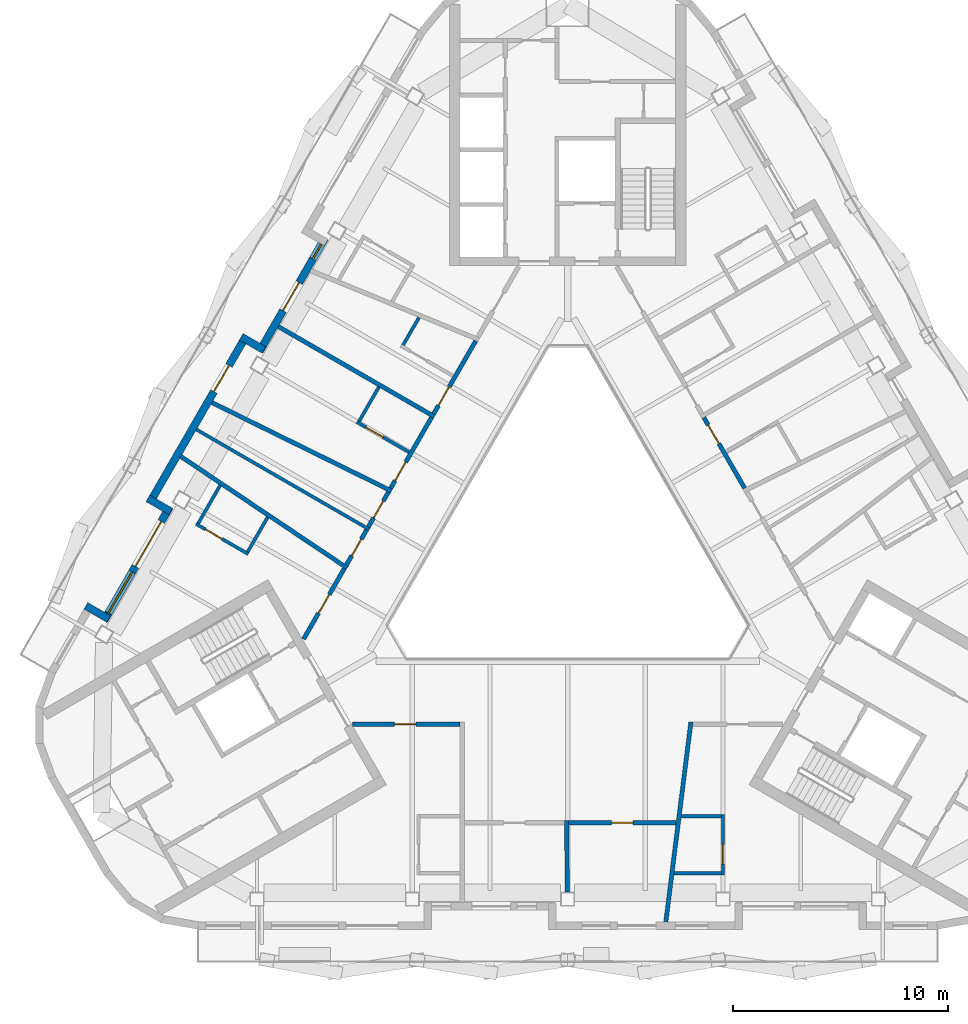
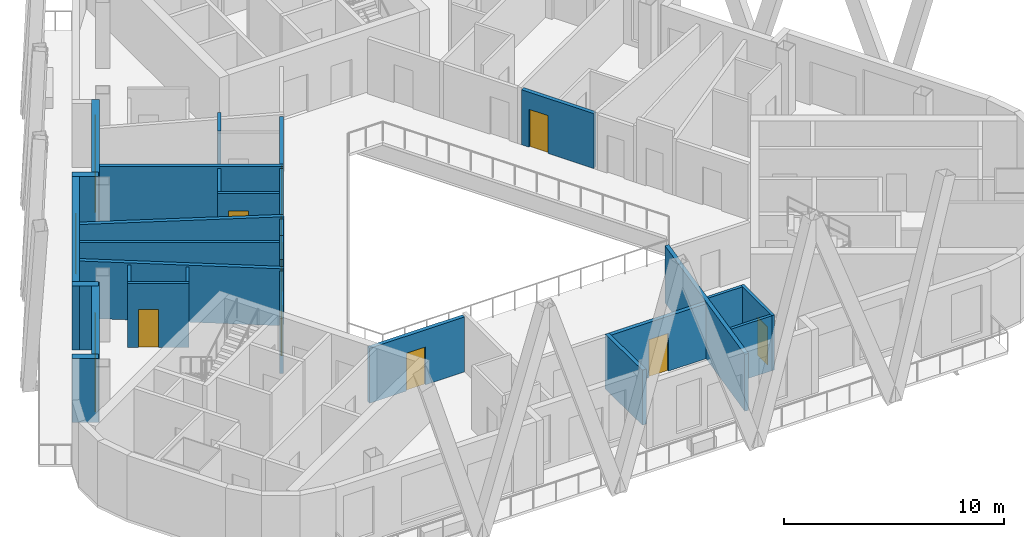
# One storey, part 4 of 13: 29 walls, 14 doors, 2 windows, 16 openings.
"""IFC4 building model written with IfcOpenShell, lengths in metres."""

from ifc_helpers import new_model, si_unit, direction, frame, frame_2d, origin, place, context, subcontext, project, spatial, rectangle, extrude, material, layer, layer_set, type_object, element, fill, save


model = new_model("IFC4")

# Units and contexts
model_context = context("Model", 3, precision=1e-05, world=origin(), true_north=direction((0.0, 1.0)))
body_context = subcontext(model_context, "Body", "Model", "MODEL_VIEW")
ifc_project = project(units=[si_unit("LENGTHUNIT", "METRE"), si_unit("AREAUNIT", "SQUARE_METRE"), si_unit("VOLUMEUNIT", "CUBIC_METRE"), si_unit("PLANEANGLEUNIT", "RADIAN"), si_unit("MASSUNIT", "GRAM", prefix="KILO")], contexts=[model_context])

# Site, building, storey
site_placement = place(None, origin())
site = spatial("IfcSite", under=ifc_project, at=site_placement, CompositionType="ELEMENT")
building_placement = place(site_placement, origin())
building = spatial("IfcBuilding", under=site, at=building_placement, Name="Apuvela Tower Hotel", CompositionType="ELEMENT")
storey_placement = place(building_placement, frame((0.0, 0.0, 280.0)))
storey = spatial("IfcBuildingStorey", under=building, at=storey_placement, Name="L69", CompositionType="ELEMENT", Elevation=280.0)

# Wall, openings, door, window
ifc_material_1 = material(Name="Concrete C40/50, dark pigmented precast panel", Category="concrete")
ifc_layer_1 = layer(ifc_material_1, 0.35009765625)
ifc_layer_set_1 = layer_set([ifc_layer_1], Name="ENV-WALL-350")
wall_type_1 = type_object("IfcWallType", Name="ENV-WALL-350", PredefinedType="SOLIDWALL", material=ifc_layer_set_1)
wall_1_placement = place(storey_placement, frame((-11.278076171875, 14.17333984375, 0.0), z_axis=(0.0, 0.0, 1.0), x_axis=(-0.499985371027, -0.866033849661, 0.0)))
wall_1 = element("IfcWall", 1, at=wall_1_placement, inside=storey, type_object=wall_type_1, Name="External wall L69-03", PredefinedType="SOLIDWALL", context=body_context, shape_type="SweptSolid", body=[
    extrude(rectangle(XDim=6.055419921875, YDim=0.35009765625, at=frame_2d((3.02783203125, 0.0))), origin(), (0.0, 0.0, 1.0), 3.550048828125),
])
opening_1_placement = place(wall_1_placement, frame((0.320068359375, 0.0, 0.300048828125)))
opening_1 = element("IfcOpeningElement", 2, at=opening_1_placement, cuts=wall_1, Name="Opening WN08", PredefinedType="OPENING", context=body_context, shape_type="SweptSolid", body=[
    extrude(rectangle(XDim=0.800048828125, YDim=2.64990234375, at=frame_2d((0.39990234375, 1.324951171875))), frame((0.0, 0.18505859375, 0.0), z_axis=(0.0, -1.0, 0.0), x_axis=(1.0, 0.0, 0.0)), (0.0, 0.0, 1.0), 0.3701171875),
])
opening_2_placement = place(wall_1_placement, frame((2.38427734375, 0.0, 0.0)))
opening_2 = element("IfcOpeningElement", 3, at=opening_2_placement, cuts=wall_1, Name="Opening BD15", PredefinedType="OPENING", context=body_context, shape_type="SweptSolid", body=[
    extrude(rectangle(XDim=1.5, YDim=2.39990234375, at=frame_2d((0.75, 1.199951171875))), frame((0.0, 0.18505859375, 0.0), z_axis=(0.0, -1.0, 0.0), x_axis=(1.0, 0.0, 0.0)), (0.0, 0.0, 1.0), 0.3701171875),
])
ifc_material_2 = material(Name="Aluminium 6063-T6, dark bronze anodised frame with dark tinted laminated glass", Category="aluminium")
door_type_1 = type_object("IfcDoorType", Name="ENV-DOOR-BALCONY-1500x2400", OperationType="SLIDING_TO_LEFT", PredefinedType="DOOR", material=ifc_material_2)
door_1_placement = place(opening_2_placement, frame((1.5, 0.0, 0.0), z_axis=(0.0, 0.0, 1.0), x_axis=(-1.0, 0.0, 0.0)))
door_1 = element("IfcDoor", 4, at=door_1_placement, inside=storey, type_object=door_type_1, Name="Balcony door BD15", OperationType="SLIDING_TO_LEFT", OverallHeight=2.39990234375, OverallWidth=1.5, PredefinedType="DOOR", context=body_context, shape_type="SweptSolid", body=[
    extrude(rectangle(XDim=1.5, YDim=2.39990234375, at=frame_2d((0.75, 1.199951171875))), frame((0.0, 0.02490234375, 0.0), z_axis=(0.0, -1.0, 0.0), x_axis=(1.0, 0.0, 0.0)), (0.0, 0.0, 1.0), 0.050048828125),
])
fill(opening_2, door_1)
ifc_material_3 = material(Name="Glass, dark tinted laminated insulated glazing unit", Category="glass")
window_type_1 = type_object("IfcWindowType", Name="ENV-WIN-800x2650", PartitioningType="SINGLE_PANEL", PredefinedType="WINDOW", material=ifc_material_3)
window_1_placement = place(opening_1_placement, origin())
window_1 = element("IfcWindow", 5, at=window_1_placement, inside=storey, type_object=window_type_1, Name="Window WN08", OverallHeight=2.64990234375, OverallWidth=0.800048828125, PartitioningType="SINGLE_PANEL", PredefinedType="WINDOW", context=body_context, shape_type="SweptSolid", body=[
    extrude(rectangle(XDim=0.800048828125, YDim=2.64990234375, at=frame_2d((0.39990234375, 1.324951171875))), frame((0.0, 0.030029296875, 0.0), z_axis=(0.0, -1.0, 0.0), x_axis=(1.0, 0.0, 0.0)), (0.0, 0.0, 1.0), 0.06005859375),
])
fill(opening_1, window_1)

# Wall
wall_2_placement = place(storey_placement, frame((-14.107666015625, 8.982177734375, 0.0), z_axis=(0.0, 0.0, 1.0), x_axis=(-0.866005645448, 0.500034220881, 0.0)))
element("IfcWall", 6, at=wall_2_placement, inside=storey, type_object=wall_type_1, Name="External wall L69-04", PredefinedType="SOLIDWALL", context=body_context, shape_type="SweptSolid", body=[
    extrude(rectangle(XDim=1.22021484375, YDim=0.35009765625, at=frame_2d((0.610107421875, 0.0))), origin(), (0.0, 0.0, 1.0), 3.550048828125),
])

# Wall, opening, door
wall_3_placement = place(storey_placement, frame((-14.925048828125, 9.65625, 0.0), z_axis=(0.0, 0.0, 1.0), x_axis=(-0.500018599098, -0.866014665324, 0.0)))
wall_3 = element("IfcWall", 7, at=wall_3_placement, inside=storey, type_object=wall_type_1, Name="External wall L69-05", PredefinedType="SOLIDWALL", context=body_context, shape_type="SweptSolid", body=[
    extrude(rectangle(XDim=9.015380859375, YDim=0.35009765625, at=frame_2d((4.5078125, 0.0))), origin(), (0.0, 0.0, 1.0), 3.550048828125),
])
opening_3_placement = place(wall_3_placement, frame((1.612548828125, 0.0, 0.0)))
opening_3 = element("IfcOpeningElement", 8, at=opening_3_placement, cuts=wall_3, Name="Opening BD14", PredefinedType="OPENING", context=body_context, shape_type="SweptSolid", body=[
    extrude(rectangle(XDim=1.39990234375, YDim=2.39990234375, at=frame_2d((0.699951171875, 1.199951171875))), frame((0.0, 0.18505859375, 0.0), z_axis=(0.0, -1.0, 0.0), x_axis=(1.0, 0.0, 0.0)), (0.0, 0.0, 1.0), 0.3701171875),
])
door_type_2 = type_object("IfcDoorType", Name="ENV-DOOR-BALCONY-1400x2400", OperationType="SLIDING_TO_LEFT", PredefinedType="DOOR", material=ifc_material_2)
door_2_placement = place(opening_3_placement, frame((1.39990234375, 0.0, 0.0), z_axis=(0.0, 0.0, 1.0), x_axis=(-1.0, 0.0, 0.0)))
door_2 = element("IfcDoor", 9, at=door_2_placement, inside=storey, type_object=door_type_2, Name="Balcony door BD14", OperationType="SLIDING_TO_LEFT", OverallHeight=2.39990234375, OverallWidth=1.39990234375, PredefinedType="DOOR", context=body_context, shape_type="SweptSolid", body=[
    extrude(rectangle(XDim=1.39990234375, YDim=2.39990234375, at=frame_2d((0.699951171875, 1.199951171875))), frame((0.0, 0.02490234375, 0.0), z_axis=(0.0, -1.0, 0.0), x_axis=(1.0, 0.0, 0.0)), (0.0, 0.0, 1.0), 0.050048828125),
])
fill(opening_3, door_2)

# Wall
wall_4_placement = place(storey_placement, frame((-19.496826171875, 2.087890625, 0.0), z_axis=(0.0, 0.0, 1.0), x_axis=(0.866005645448, -0.500034220881, 0.0)))
element("IfcWall", 10, at=wall_4_placement, inside=storey, type_object=wall_type_1, Name="External wall L69-06", PredefinedType="SOLIDWALL", context=body_context, shape_type="SweptSolid", body=[
    extrude(rectangle(XDim=1.22021484375, YDim=0.35009765625, at=frame_2d((0.610107421875, 0.0))), origin(), (0.0, 0.0, 1.0), 3.550048828125),
])

# Wall, openings, door, window
wall_5_placement = place(storey_placement, frame((-18.493408203125, 1.676025390625, 0.0), z_axis=(0.0, 0.0, 1.0), x_axis=(-0.499985371027, -0.866033849661, 0.0)))
wall_5 = element("IfcWall", 11, at=wall_5_placement, inside=storey, type_object=wall_type_1, Name="External wall L69-07", PredefinedType="SOLIDWALL", context=body_context, shape_type="SweptSolid", body=[
    extrude(rectangle(XDim=6.055419921875, YDim=0.35009765625, at=frame_2d((3.02783203125, 0.0))), origin(), (0.0, 0.0, 1.0), 3.550048828125),
])
opening_4_placement = place(wall_5_placement, frame((0.77001953125, 0.0, 0.0)))
opening_4 = element("IfcOpeningElement", 12, at=opening_4_placement, cuts=wall_5, Name="Opening BD24", PredefinedType="OPENING", context=body_context, shape_type="SweptSolid", body=[
    extrude(rectangle(XDim=2.39990234375, YDim=2.39990234375, at=frame_2d((1.199951171875, 1.199951171875))), frame((0.0, 0.18505859375, 0.0), z_axis=(0.0, -1.0, 0.0), x_axis=(1.0, 0.0, 0.0)), (0.0, 0.0, 1.0), 0.3701171875),
])
opening_5_placement = place(wall_5_placement, frame((3.47021484375, 0.0, 0.300048828125)))
opening_5 = element("IfcOpeningElement", 13, at=opening_5_placement, cuts=wall_5, Name="Opening WN22", PredefinedType="OPENING", context=body_context, shape_type="SweptSolid", body=[
    extrude(rectangle(XDim=2.199951171875, YDim=2.64990234375, at=frame_2d((1.10009765625, 1.324951171875))), frame((0.0, 0.18505859375, 0.0), z_axis=(0.0, -1.0, 0.0), x_axis=(1.0, 0.0, 0.0)), (0.0, 0.0, 1.0), 0.3701171875),
])
door_type_3 = type_object("IfcDoorType", Name="ENV-DOOR-BALCONY-2400x2400", OperationType="SLIDING_TO_LEFT", PredefinedType="DOOR", material=ifc_material_2)
door_3_placement = place(opening_4_placement, frame((2.39990234375, 0.0, 0.0), z_axis=(0.0, 0.0, 1.0), x_axis=(-1.0, 0.0, 0.0)))
door_3 = element("IfcDoor", 14, at=door_3_placement, inside=storey, type_object=door_type_3, Name="Balcony door BD24", OperationType="SLIDING_TO_LEFT", OverallHeight=2.39990234375, OverallWidth=2.39990234375, PredefinedType="DOOR", context=body_context, shape_type="SweptSolid", body=[
    extrude(rectangle(XDim=2.39990234375, YDim=2.39990234375, at=frame_2d((1.199951171875, 1.199951171875))), frame((0.0, 0.02490234375, 0.0), z_axis=(0.0, -1.0, 0.0), x_axis=(1.0, 0.0, 0.0)), (0.0, 0.0, 1.0), 0.050048828125),
])
fill(opening_4, door_3)
window_type_2 = type_object("IfcWindowType", Name="ENV-WIN-2200x2650", PartitioningType="SINGLE_PANEL", PredefinedType="WINDOW", material=ifc_material_3)
window_2_placement = place(opening_5_placement, origin())
window_2 = element("IfcWindow", 15, at=window_2_placement, inside=storey, type_object=window_type_2, Name="Window WN22", OverallHeight=2.64990234375, OverallWidth=2.199951171875, PartitioningType="SINGLE_PANEL", PredefinedType="WINDOW", context=body_context, shape_type="SweptSolid", body=[
    extrude(rectangle(XDim=2.199951171875, YDim=2.64990234375, at=frame_2d((1.10009765625, 1.324951171875))), frame((0.0, 0.030029296875, 0.0), z_axis=(0.0, -1.0, 0.0), x_axis=(1.0, 0.0, 0.0)), (0.0, 0.0, 1.0), 0.06005859375),
])
fill(opening_5, window_2)

# Walls
wall_6_placement = place(storey_placement, frame((-21.322998046875, -3.514892578125, 0.0), z_axis=(0.0, 0.0, 1.0), x_axis=(-0.866092288191, 0.499884134912, 0.0)))
element("IfcWall", 16, at=wall_6_placement, inside=storey, type_object=wall_type_1, Name="External wall L69-08", PredefinedType="SOLIDWALL", context=body_context, shape_type="SweptSolid", body=[
    extrude(rectangle(XDim=1.219970703125, YDim=0.35009765625, at=frame_2d((0.60986328125, 0.0))), origin(), (0.0, 0.0, 1.0), 3.550048828125),
])
ifc_material_4 = material(Name="Gypsum board partition on twin steel stud", Category="steel")
ifc_layer_2 = layer(ifc_material_4, 0.199951171875)
ifc_layer_set_2 = layer_set([ifc_layer_2], Name="GST-PW1")
wall_type_2 = type_object("IfcWallType", Name="GST-PW1", PredefinedType="PARTITIONING", material=ifc_layer_set_2)
wall_7_placement = place(storey_placement, frame((-0.01513671875, -16.20361328125, 0.0), z_axis=(0.0, 0.0, 1.0), x_axis=(-0.011013356537, 0.99993935115, 0.0)))
element("IfcWall", 17, at=wall_7_placement, inside=storey, type_object=wall_type_2, Name="L69 partition 02", PredefinedType="PARTITIONING", context=body_context, shape_type="SweptSolid", body=[
    extrude(rectangle(XDim=3.3251953125, YDim=0.199951171875, at=frame_2d((1.66259765625, 0.0))), origin(), (0.0, 0.0, 1.0), 3.050048828125),
])
wall_8_placement = place(storey_placement, frame((4.56005859375, -17.57861328125, 0.0), z_axis=(0.0, 0.0, 1.0), x_axis=(0.124584174438, 0.992209042228, 0.0)))
element("IfcWall", 18, at=wall_8_placement, inside=storey, type_object=wall_type_2, Name="L69 partition 03", PredefinedType="PARTITIONING", context=body_context, shape_type="SweptSolid", body=[
    extrude(rectangle(XDim=9.351318359375, YDim=0.199951171875, at=frame_2d((4.67578125, 0.0))), origin(), (0.0, 0.0, 1.0), 3.159912109375),
])
wall_9_placement = place(storey_placement, frame((-13.444091796875, 10.0712890625, 0.0), z_axis=(0.0, 0.0, 1.0), x_axis=(0.866030795796, -0.499990660646, 0.0)))
element("IfcWall", 19, at=wall_9_placement, inside=storey, type_object=wall_type_2, Name="L69 partition 09", PredefinedType="PARTITIONING", context=body_context, shape_type="SweptSolid", body=[
    extrude(rectangle(XDim=8.378662109375, YDim=0.199951171875, at=frame_2d((4.189453125, 0.0))), origin(), (0.0, 0.0, 1.0), 3.159912109375),
])
wall_10_placement = place(storey_placement, frame((-16.523681640625, 6.53759765625, 0.0), z_axis=(0.0, 0.0, 1.0), x_axis=(0.897120251728, -0.441786434762, 0.0)))
element("IfcWall", 20, at=wall_10_placement, inside=storey, type_object=wall_type_2, Name="L69 partition 10", PredefinedType="PARTITIONING", context=body_context, shape_type="SweptSolid", body=[
    extrude(rectangle(XDim=9.299072265625, YDim=0.199951171875, at=frame_2d((4.6494140625, 0.0))), origin(), (0.0, 0.0, 1.0), 3.159912109375),
])
wall_11_placement = place(storey_placement, frame((-17.968505859375, 4.034912109375, 0.0), z_axis=(0.0, 0.0, 1.0), x_axis=(0.830560992963, -0.556927676604, 0.0)))
element("IfcWall", 21, at=wall_11_placement, inside=storey, type_object=wall_type_2, Name="L69 partition 11", PredefinedType="PARTITIONING", context=body_context, shape_type="SweptSolid", body=[
    extrude(rectangle(XDim=9.299560546875, YDim=0.199951171875, at=frame_2d((4.64990234375, 0.0))), origin(), (0.0, 0.0, 1.0), 3.159912109375),
])

# Wall, opening, door
ifc_material_5 = material(Name="Gypsum board corridor wall on twin steel stud, acoustic", Category="steel")
ifc_layer_3 = layer(ifc_material_5, 0.199951171875)
ifc_layer_set_3 = layer_set([ifc_layer_3], Name="GST-PW2")
wall_type_3 = type_object("IfcWallType", Name="GST-PW2", PredefinedType="PARTITIONING", material=ifc_layer_set_3)
wall_12_placement = place(storey_placement, frame((-5.0, -8.39990234375, 0.0), z_axis=(0.0, 0.0, 1.0), x_axis=(-1.0, 0.0, 0.0)))
wall_12 = element("IfcWall", 22, at=wall_12_placement, inside=storey, type_object=wall_type_3, Name="L69 partition 12", PredefinedType="PARTITIONING", context=body_context, shape_type="SweptSolid", body=[
    extrude(rectangle(XDim=4.98828125, YDim=0.199951171875, at=frame_2d((2.494140625, 0.0))), origin(), (0.0, 0.0, 1.0), 3.050048828125),
])
opening_6_placement = place(wall_12_placement, frame((2.050048828125, 0.0, 0.0)))
opening_6 = element("IfcOpeningElement", 23, at=opening_6_placement, cuts=wall_12, Name="Opening GD28-02", PredefinedType="OPENING", context=body_context, shape_type="SweptSolid", body=[
    extrude(rectangle(XDim=1.0, YDim=2.10009765625, at=frame_2d((0.5, 1.050048828125))), frame((0.0, 0.10986328125, 0.0), z_axis=(0.0, -1.0, 0.0), x_axis=(1.0, 0.0, 0.0)), (0.0, 0.0, 1.0), 0.219970703125),
])
ifc_material_6 = material(Name="Timber door leaf in steel frame", Category="steel")
door_type_4 = type_object("IfcDoorType", Name="GST-D1", OperationType="NOTDEFINED", PredefinedType="DOOR", material=ifc_material_6)
door_4_placement = place(opening_6_placement, origin())
door_4 = element("IfcDoor", 24, at=door_4_placement, inside=storey, type_object=door_type_4, Name="Door L69-02", OperationType="SINGLE_SWING_LEFT", OverallHeight=2.10009765625, OverallWidth=1.0, PredefinedType="DOOR", context=body_context, shape_type="SweptSolid", body=[
    extrude(rectangle(XDim=1.0, YDim=2.10009765625, at=frame_2d((0.5, 1.050048828125))), frame((0.0, 0.02490234375, 0.0), z_axis=(0.0, -1.0, 0.0), x_axis=(1.0, 0.0, 0.0)), (0.0, 0.0, 1.0), 0.050048828125),
])
fill(opening_6, door_4)

wall_13_placement = place(storey_placement, frame((5.036865234375, -12.978759765625, 0.0), z_axis=(0.0, 0.0, 1.0), x_axis=(-1.0, 0.0, 0.0)))
wall_13 = element("IfcWall", 25, at=wall_13_placement, inside=storey, type_object=wall_type_3, Name="L69 partition 17", PredefinedType="PARTITIONING", context=body_context, shape_type="SweptSolid", body=[
    extrude(rectangle(XDim=4.987548828125, YDim=0.199951171875, at=frame_2d((2.49365234375, 0.0))), origin(), (0.0, 0.0, 1.0), 3.050048828125),
])
opening_7_placement = place(wall_13_placement, frame((1.99365234375, 0.0, 0.0)))
opening_7 = element("IfcOpeningElement", 26, at=opening_7_placement, cuts=wall_13, Name="Opening GD28-04", PredefinedType="OPENING", context=body_context, shape_type="SweptSolid", body=[
    extrude(rectangle(XDim=1.0, YDim=2.10009765625, at=frame_2d((0.5, 1.050048828125))), frame((0.0, 0.10986328125, 0.0), z_axis=(0.0, -1.0, 0.0), x_axis=(1.0, 0.0, 0.0)), (0.0, 0.0, 1.0), 0.219970703125),
])
door_5_placement = place(opening_7_placement, origin())
door_5 = element("IfcDoor", 27, at=door_5_placement, inside=storey, type_object=door_type_4, Name="Door L69-04", OperationType="SINGLE_SWING_LEFT", OverallHeight=2.10009765625, OverallWidth=1.0, PredefinedType="DOOR", context=body_context, shape_type="SweptSolid", body=[
    extrude(rectangle(XDim=1.0, YDim=2.10009765625, at=frame_2d((0.5, 1.050048828125))), frame((0.0, 0.02490234375, 0.0), z_axis=(0.0, -1.0, 0.0), x_axis=(1.0, 0.0, 0.0)), (0.0, 0.0, 1.0), 0.050048828125),
])
fill(opening_7, door_5)

wall_14_placement = place(storey_placement, frame((6.32470703125, 5.845458984375, 0.0), z_axis=(0.0, 0.0, 1.0), x_axis=(0.499988034227, -0.866032312117, 0.0)))
wall_14 = element("IfcWall", 28, at=wall_14_placement, inside=storey, type_object=wall_type_3, Name="L69 partition 29", PredefinedType="PARTITIONING", context=body_context, shape_type="SweptSolid", body=[
    extrude(rectangle(XDim=3.79296875, YDim=0.199951171875, at=frame_2d((1.896484375, 0.0))), origin(), (0.0, 0.0, 1.0), 3.050048828125),
])
opening_8_placement = place(wall_14_placement, frame((0.4033203125, 0.0, 0.0)))
opening_8 = element("IfcOpeningElement", 29, at=opening_8_placement, cuts=wall_14, Name="Opening GD28-12", PredefinedType="OPENING", context=body_context, shape_type="SweptSolid", body=[
    extrude(rectangle(XDim=1.0, YDim=2.10009765625, at=frame_2d((0.5, 1.050048828125))), frame((0.0, 0.10986328125, 0.0), z_axis=(0.0, -1.0, 0.0), x_axis=(1.0, 0.0, 0.0)), (0.0, 0.0, 1.0), 0.219970703125),
])
door_6_placement = place(opening_8_placement, origin())
door_6 = element("IfcDoor", 30, at=door_6_placement, inside=storey, type_object=door_type_4, Name="Door L69-12", OperationType="SINGLE_SWING_LEFT", OverallHeight=2.10009765625, OverallWidth=1.0, PredefinedType="DOOR", context=body_context, shape_type="SweptSolid", body=[
    extrude(rectangle(XDim=1.0, YDim=2.10009765625, at=frame_2d((0.5, 1.050048828125))), frame((0.0, 0.02490234375, 0.0), z_axis=(0.0, -1.0, 0.0), x_axis=(1.0, 0.0, 0.0)), (0.0, 0.0, 1.0), 0.050048828125),
])
fill(opening_8, door_6)

wall_15_placement = place(storey_placement, frame((-6.224609375, 6.018798828125, 0.0), z_axis=(0.0, 0.0, 1.0), x_axis=(0.500024943202, 0.866011002341, 0.0)))
wall_15 = element("IfcWall", 31, at=wall_15_placement, inside=storey, type_object=wall_type_3, Name="L69 partition 43", PredefinedType="PARTITIONING", context=body_context, shape_type="SweptSolid", body=[
    extrude(rectangle(XDim=3.912353515625, YDim=0.199951171875, at=frame_2d((1.9560546875, 0.0))), origin(), (0.0, 0.0, 1.0), 3.050048828125),
])
opening_9_placement = place(wall_15_placement, frame((0.449462890625, 0.0, 0.0)))
opening_9 = element("IfcOpeningElement", 32, at=opening_9_placement, cuts=wall_15, Name="Opening GD28-20", PredefinedType="OPENING", context=body_context, shape_type="SweptSolid", body=[
    extrude(rectangle(XDim=1.0, YDim=2.10009765625, at=frame_2d((0.5, 1.050048828125))), frame((0.0, 0.10986328125, 0.0), z_axis=(0.0, -1.0, 0.0), x_axis=(1.0, 0.0, 0.0)), (0.0, 0.0, 1.0), 0.219970703125),
])
door_7_placement = place(opening_9_placement, origin())
door_7 = element("IfcDoor", 33, at=door_7_placement, inside=storey, type_object=door_type_4, Name="Door L69-20", OperationType="SINGLE_SWING_LEFT", OverallHeight=2.10009765625, OverallWidth=1.0, PredefinedType="DOOR", context=body_context, shape_type="SweptSolid", body=[
    extrude(rectangle(XDim=1.0, YDim=2.10009765625, at=frame_2d((0.5, 1.050048828125))), frame((0.0, 0.02490234375, 0.0), z_axis=(0.0, -1.0, 0.0), x_axis=(1.0, 0.0, 0.0)), (0.0, 0.0, 1.0), 0.050048828125),
])
fill(opening_9, door_7)

wall_16_placement = place(storey_placement, frame((-8.22119140625, 2.560546875, 0.0), z_axis=(0.0, 0.0, 1.0), x_axis=(0.499988034227, 0.866032312117, 0.0)))
wall_16 = element("IfcWall", 34, at=wall_16_placement, inside=storey, type_object=wall_type_3, Name="L69 partition 46", PredefinedType="PARTITIONING", context=body_context, shape_type="SweptSolid", body=[
    extrude(rectangle(XDim=3.79296875, YDim=0.199951171875, at=frame_2d((1.896484375, 0.0))), origin(), (0.0, 0.0, 1.0), 3.050048828125),
])
opening_10_placement = place(wall_16_placement, frame((0.39990234375, 0.0, 0.0)))
opening_10 = element("IfcOpeningElement", 35, at=opening_10_placement, cuts=wall_16, Name="Opening GD28-22", PredefinedType="OPENING", context=body_context, shape_type="SweptSolid", body=[
    extrude(rectangle(XDim=1.0, YDim=2.10009765625, at=frame_2d((0.5, 1.050048828125))), frame((0.0, 0.10986328125, 0.0), z_axis=(0.0, -1.0, 0.0), x_axis=(1.0, 0.0, 0.0)), (0.0, 0.0, 1.0), 0.219970703125),
])
door_8_placement = place(opening_10_placement, origin())
door_8 = element("IfcDoor", 36, at=door_8_placement, inside=storey, type_object=door_type_4, Name="Door L69-22", OperationType="SINGLE_SWING_LEFT", OverallHeight=2.10009765625, OverallWidth=1.0, PredefinedType="DOOR", context=body_context, shape_type="SweptSolid", body=[
    extrude(rectangle(XDim=1.0, YDim=2.10009765625, at=frame_2d((0.5, 1.050048828125))), frame((0.0, 0.02490234375, 0.0), z_axis=(0.0, -1.0, 0.0), x_axis=(1.0, 0.0, 0.0)), (0.0, 0.0, 1.0), 0.050048828125),
])
fill(opening_10, door_8)

wall_17_placement = place(storey_placement, frame((-9.26220703125, 0.757568359375, 0.0), z_axis=(0.0, 0.0, 1.0), x_axis=(0.500074377092, 0.865982457891, 0.0)))
wall_17 = element("IfcWall", 37, at=wall_17_placement, inside=storey, type_object=wall_type_3, Name="L69 partition 50", PredefinedType="PARTITIONING", context=body_context, shape_type="SweptSolid", body=[
    extrude(rectangle(XDim=1.881591796875, YDim=0.199951171875, at=frame_2d((0.94091796875, 0.0))), origin(), (0.0, 0.0, 1.0), 3.050048828125),
])
opening_11_placement = place(wall_17_placement, frame((0.49072265625, 0.0, 0.0)))
opening_11 = element("IfcOpeningElement", 38, at=opening_11_placement, cuts=wall_17, Name="Opening GD28-23", PredefinedType="OPENING", context=body_context, shape_type="SweptSolid", body=[
    extrude(rectangle(XDim=0.89990234375, YDim=2.10009765625, at=frame_2d((0.449951171875, 1.050048828125))), frame((0.0, 0.10986328125, 0.0), z_axis=(0.0, -1.0, 0.0), x_axis=(1.0, 0.0, 0.0)), (0.0, 0.0, 1.0), 0.219970703125),
])
door_type_5 = type_object("IfcDoorType", Name="GST-D2", OperationType="NOTDEFINED", PredefinedType="DOOR", material=ifc_material_6)
door_9_placement = place(opening_11_placement, origin())
door_9 = element("IfcDoor", 39, at=door_9_placement, inside=storey, type_object=door_type_5, Name="Door L69-23", OperationType="SINGLE_SWING_LEFT", OverallHeight=2.10009765625, OverallWidth=0.89990234375, PredefinedType="DOOR", context=body_context, shape_type="SweptSolid", body=[
    extrude(rectangle(XDim=0.89990234375, YDim=2.10009765625, at=frame_2d((0.449951171875, 1.050048828125))), frame((0.0, 0.02490234375, 0.0), z_axis=(0.0, -1.0, 0.0), x_axis=(1.0, 0.0, 0.0)), (0.0, 0.0, 1.0), 0.050048828125),
])
fill(opening_11, door_9)

wall_18_placement = place(storey_placement, frame((-10.27783203125, -1.001708984375, 0.0), z_axis=(0.0, 0.0, 1.0), x_axis=(0.499977061294, 0.866038647048, 0.0)))
wall_18 = element("IfcWall", 40, at=wall_18_placement, inside=storey, type_object=wall_type_3, Name="L69 partition 51", PredefinedType="PARTITIONING", context=body_context, shape_type="SweptSolid", body=[
    extrude(rectangle(XDim=1.88134765625, YDim=0.199951171875, at=frame_2d((0.940673828125, 0.0))), origin(), (0.0, 0.0, 1.0), 3.550048828125),
])
opening_12_placement = place(wall_18_placement, frame((0.49072265625, 0.0, 0.0)))
opening_12 = element("IfcOpeningElement", 41, at=opening_12_placement, cuts=wall_18, Name="Opening GD28-24", PredefinedType="OPENING", context=body_context, shape_type="SweptSolid", body=[
    extrude(rectangle(XDim=0.89990234375, YDim=2.10009765625, at=frame_2d((0.449951171875, 1.050048828125))), frame((0.0, 0.10986328125, 0.0), z_axis=(0.0, -1.0, 0.0), x_axis=(1.0, 0.0, 0.0)), (0.0, 0.0, 1.0), 0.219970703125),
])
door_10_placement = place(opening_12_placement, origin())
door_10 = element("IfcDoor", 42, at=door_10_placement, inside=storey, type_object=door_type_5, Name="Door L69-24", OperationType="SINGLE_SWING_RIGHT", OverallHeight=2.10009765625, OverallWidth=0.89990234375, PredefinedType="DOOR", context=body_context, shape_type="SweptSolid", body=[
    extrude(rectangle(XDim=0.89990234375, YDim=2.10009765625, at=frame_2d((0.449951171875, 1.050048828125))), frame((0.0, 0.02490234375, 0.0), z_axis=(0.0, -1.0, 0.0), x_axis=(1.0, 0.0, 0.0)), (0.0, 0.0, 1.0), 0.050048828125),
])
fill(opening_12, door_10)

wall_19_placement = place(storey_placement, frame((-12.268798828125, -4.449951171875, 0.0), z_axis=(0.0, 0.0, 1.0), x_axis=(0.500000040646, 0.866025380318, 0.0)))
wall_19 = element("IfcWall", 43, at=wall_19_placement, inside=storey, type_object=wall_type_3, Name="L69 partition 52", PredefinedType="PARTITIONING", context=body_context, shape_type="SweptSolid", body=[
    extrude(rectangle(XDim=3.78125, YDim=0.199951171875, at=frame_2d((1.890625, 0.0))), origin(), (0.0, 0.0, 1.0), 3.050048828125),
])
opening_13_placement = place(wall_19_placement, frame((1.390625, 0.0, 0.0)))
opening_13 = element("IfcOpeningElement", 44, at=opening_13_placement, cuts=wall_19, Name="Opening GD28-26", PredefinedType="OPENING", context=body_context, shape_type="SweptSolid", body=[
    extrude(rectangle(XDim=1.0, YDim=2.10009765625, at=frame_2d((0.5, 1.050048828125))), frame((0.0, 0.10986328125, 0.0), z_axis=(0.0, -1.0, 0.0), x_axis=(1.0, 0.0, 0.0)), (0.0, 0.0, 1.0), 0.219970703125),
])
door_11_placement = place(opening_13_placement, origin())
door_11 = element("IfcDoor", 45, at=door_11_placement, inside=storey, type_object=door_type_4, Name="Door L69-26", OperationType="SINGLE_SWING_RIGHT", OverallHeight=2.10009765625, OverallWidth=1.0, PredefinedType="DOOR", context=body_context, shape_type="SweptSolid", body=[
    extrude(rectangle(XDim=1.0, YDim=2.10009765625, at=frame_2d((0.5, 1.050048828125))), frame((0.0, 0.02490234375, 0.0), z_axis=(0.0, -1.0, 0.0), x_axis=(1.0, 0.0, 0.0)), (0.0, 0.0, 1.0), 0.050048828125),
])
fill(opening_13, door_11)

ifc_material_7 = material(Name="Moisture-resistant gypsum board wet wall on steel stud", Category="steel")
ifc_layer_4 = layer(ifc_material_7, 0.14990234375)
ifc_layer_set_4 = layer_set([ifc_layer_4], Name="GST-PW3")
wall_type_4 = type_object("IfcWallType", Name="GST-PW3", PredefinedType="PARTITIONING", material=ifc_layer_set_4)
wall_20_placement = place(storey_placement, frame((7.2109375, -15.39990234375, 0.0), z_axis=(0.0, 0.0, 1.0), x_axis=(0.0, 1.0, 0.0)))
wall_20 = element("IfcWall", 46, at=wall_20_placement, inside=storey, type_object=wall_type_4, Name="L69 partition 19", PredefinedType="PARTITIONING", context=body_context, shape_type="SweptSolid", body=[
    extrude(rectangle(XDim=2.7998046875, YDim=0.14990234375, at=frame_2d((1.39990234375, 0.0))), origin(), (0.0, 0.0, 1.0), 3.050048828125),
])
opening_14_placement = place(wall_20_placement, frame((0.5, 0.0, 0.0)))
opening_14 = element("IfcOpeningElement", 47, at=opening_14_placement, cuts=wall_20, Name="Opening GD28-05", PredefinedType="OPENING", context=body_context, shape_type="SweptSolid", body=[
    extrude(rectangle(XDim=0.89990234375, YDim=2.10009765625, at=frame_2d((0.449951171875, 1.050048828125))), frame((0.0, 0.0849609375, 0.0), z_axis=(0.0, -1.0, 0.0), x_axis=(1.0, 0.0, 0.0)), (0.0, 0.0, 1.0), 0.169921875),
])
door_12_placement = place(opening_14_placement, origin())
door_12 = element("IfcDoor", 48, at=door_12_placement, inside=storey, type_object=door_type_5, Name="Door L69-05", OperationType="SINGLE_SWING_LEFT", OverallHeight=2.10009765625, OverallWidth=0.89990234375, PredefinedType="DOOR", context=body_context, shape_type="SweptSolid", body=[
    extrude(rectangle(XDim=0.89990234375, YDim=2.10009765625, at=frame_2d((0.449951171875, 1.050048828125))), frame((0.0, 0.02490234375, 0.0), z_axis=(0.0, -1.0, 0.0), x_axis=(1.0, 0.0, 0.0)), (0.0, 0.0, 1.0), 0.050048828125),
])
fill(opening_14, door_12)

# Walls
wall_21_placement = place(storey_placement, frame((4.94384765625, -15.324951171875, 0.0), z_axis=(0.0, 0.0, 1.0), x_axis=(1.0, 0.0, 0.0)))
element("IfcWall", 49, at=wall_21_placement, inside=storey, type_object=wall_type_4, Name="L69 partition 20", PredefinedType="PARTITIONING", context=body_context, shape_type="SweptSolid", body=[
    extrude(rectangle(XDim=2.192138671875, YDim=0.14990234375, at=frame_2d((1.09619140625, 0.0))), origin(), (0.0, 0.0, 1.0), 3.050048828125),
])
wall_22_placement = place(storey_placement, frame((5.276611328125, -12.675048828125, 0.0), z_axis=(0.0, 0.0, 1.0), x_axis=(1.0, 0.0, 0.0)))
element("IfcWall", 50, at=wall_22_placement, inside=storey, type_object=wall_type_4, Name="L69 partition 21", PredefinedType="PARTITIONING", context=body_context, shape_type="SweptSolid", body=[
    extrude(rectangle(XDim=1.859375, YDim=0.14990234375, at=frame_2d((0.9296875, 0.0))), origin(), (0.0, 0.0, 1.0), 3.050048828125),
])
wall_23_placement = place(storey_placement, frame((-6.90478515625, 10.49072265625, 0.0), z_axis=(0.0, 0.0, 1.0), x_axis=(-0.499926630096, -0.866067759775, 0.0)))
element("IfcWall", 51, at=wall_23_placement, inside=storey, type_object=wall_type_4, Name="L69 partition 45", PredefinedType="PARTITIONING", context=body_context, shape_type="SweptSolid", body=[
    extrude(rectangle(XDim=1.483642578125, YDim=0.14990234375, at=frame_2d((0.74169921875, 0.0))), origin(), (0.0, 0.0, 1.0), 3.550048828125),
])

# Wall, opening, door
wall_24_placement = place(storey_placement, frame((-9.795166015625, 5.63427734375, 0.0), z_axis=(0.0, 0.0, 1.0), x_axis=(0.866034573852, -0.49998411664, 0.0)))
wall_24 = element("IfcWall", 52, at=wall_24_placement, inside=storey, type_object=wall_type_4, Name="L69 partition 47", PredefinedType="PARTITIONING", context=body_context, shape_type="SweptSolid", body=[
    extrude(rectangle(XDim=2.7998046875, YDim=0.14990234375, at=frame_2d((1.39990234375, 0.0))), origin(), (0.0, 0.0, 1.0), 3.050048828125),
])
opening_15_placement = place(wall_24_placement, frame((0.5, 0.0, 0.0)))
opening_15 = element("IfcOpeningElement", 53, at=opening_15_placement, cuts=wall_24, Name="Opening GD28-21", PredefinedType="OPENING", context=body_context, shape_type="SweptSolid", body=[
    extrude(rectangle(XDim=0.89990234375, YDim=2.10009765625, at=frame_2d((0.449951171875, 1.050048828125))), frame((0.0, 0.0849609375, 0.0), z_axis=(0.0, -1.0, 0.0), x_axis=(1.0, 0.0, 0.0)), (0.0, 0.0, 1.0), 0.169921875),
])
door_13_placement = place(opening_15_placement, origin())
door_13 = element("IfcDoor", 54, at=door_13_placement, inside=storey, type_object=door_type_5, Name="Door L69-21", OperationType="SINGLE_SWING_LEFT", OverallHeight=2.10009765625, OverallWidth=0.89990234375, PredefinedType="DOOR", context=body_context, shape_type="SweptSolid", body=[
    extrude(rectangle(XDim=0.89990234375, YDim=2.10009765625, at=frame_2d((0.449951171875, 1.050048828125))), frame((0.0, 0.02490234375, 0.0), z_axis=(0.0, -1.0, 0.0), x_axis=(1.0, 0.0, 0.0)), (0.0, 0.0, 1.0), 0.050048828125),
])
fill(opening_15, door_13)

# Walls
wall_25_placement = place(storey_placement, frame((-8.77099609375, 7.2578125, 0.0), z_axis=(0.0, 0.0, 1.0), x_axis=(-0.50002820729, -0.866009117685, 0.0)))
element("IfcWall", 55, at=wall_25_placement, inside=storey, type_object=wall_type_4, Name="L69 partition 48", PredefinedType="PARTITIONING", context=body_context, shape_type="SweptSolid", body=[
    extrude(rectangle(XDim=1.84326171875, YDim=0.14990234375, at=frame_2d((0.921630859375, 0.0))), origin(), (0.0, 0.0, 1.0), 3.050048828125),
])
wall_26_placement = place(storey_placement, frame((-17.24609375, 5.286376953125, 0.0), z_axis=(0.0, 0.0, 1.0), x_axis=(0.865746766399, -0.500482303853, 0.0)))
element("IfcWall", 56, at=wall_26_placement, inside=storey, type_object=wall_type_4, Name="L69 partition 49", PredefinedType="PARTITIONING", context=body_context, shape_type="SweptSolid", body=[
    extrude(rectangle(XDim=9.278564453125, YDim=0.14990234375, at=frame_2d((4.63916015625, 0.0))), origin(), (0.0, 0.0, 1.0), 3.159912109375),
])

# Wall, opening, door
wall_27_placement = place(storey_placement, frame((-17.26171875, 0.90185546875, 0.0), z_axis=(0.0, 0.0, 1.0), x_axis=(0.866034573852, -0.49998411664, 0.0)))
wall_27 = element("IfcWall", 57, at=wall_27_placement, inside=storey, type_object=wall_type_4, Name="L69 partition 53", PredefinedType="PARTITIONING", context=body_context, shape_type="SweptSolid", body=[
    extrude(rectangle(XDim=2.7998046875, YDim=0.14990234375, at=frame_2d((1.39990234375, 0.0))), origin(), (0.0, 0.0, 1.0), 3.550048828125),
])
opening_16_placement = place(wall_27_placement, frame((0.5, 0.0, 0.0)))
opening_16 = element("IfcOpeningElement", 58, at=opening_16_placement, cuts=wall_27, Name="Opening GD28-25", PredefinedType="OPENING", context=body_context, shape_type="SweptSolid", body=[
    extrude(rectangle(XDim=0.89990234375, YDim=2.10009765625, at=frame_2d((0.449951171875, 1.050048828125))), frame((0.0, 0.0849609375, 0.0), z_axis=(0.0, -1.0, 0.0), x_axis=(1.0, 0.0, 0.0)), (0.0, 0.0, 1.0), 0.169921875),
])
door_14_placement = place(opening_16_placement, origin())
door_14 = element("IfcDoor", 59, at=door_14_placement, inside=storey, type_object=door_type_5, Name="Door L69-25", OperationType="SINGLE_SWING_LEFT", OverallHeight=2.10009765625, OverallWidth=0.89990234375, PredefinedType="DOOR", context=body_context, shape_type="SweptSolid", body=[
    extrude(rectangle(XDim=0.89990234375, YDim=2.10009765625, at=frame_2d((0.449951171875, 1.050048828125))), frame((0.0, 0.02490234375, 0.0), z_axis=(0.0, -1.0, 0.0), x_axis=(1.0, 0.0, 0.0)), (0.0, 0.0, 1.0), 0.050048828125),
])
fill(opening_16, door_14)

# Walls
wall_28_placement = place(storey_placement, frame((-16.142578125, 2.690185546875, 0.0), z_axis=(0.0, 0.0, 1.0), x_axis=(-0.500013496215, -0.866017611601, 0.0)))
element("IfcWall", 60, at=wall_28_placement, inside=storey, type_object=wall_type_4, Name="L69 partition 54", PredefinedType="PARTITIONING", context=body_context, shape_type="SweptSolid", body=[
    extrude(rectangle(XDim=2.033203125, YDim=0.14990234375, at=frame_2d((1.0166015625, 0.0))), origin(), (0.0, 0.0, 1.0), 3.050048828125),
])
wall_29_placement = place(storey_placement, frame((-13.936767578125, 1.2109375, 0.0), z_axis=(0.0, 0.0, 1.0), x_axis=(-0.500003477455, -0.866023396066, 0.0)))
element("IfcWall", 61, at=wall_29_placement, inside=storey, type_object=wall_type_4, Name="L69 partition 55", PredefinedType="PARTITIONING", context=body_context, shape_type="SweptSolid", body=[
    extrude(rectangle(XDim=1.85498046875, YDim=0.14990234375, at=frame_2d((0.927490234375, 0.0))), origin(), (0.0, 0.0, 1.0), 3.050048828125),
])

save(model, "model.ifc")
